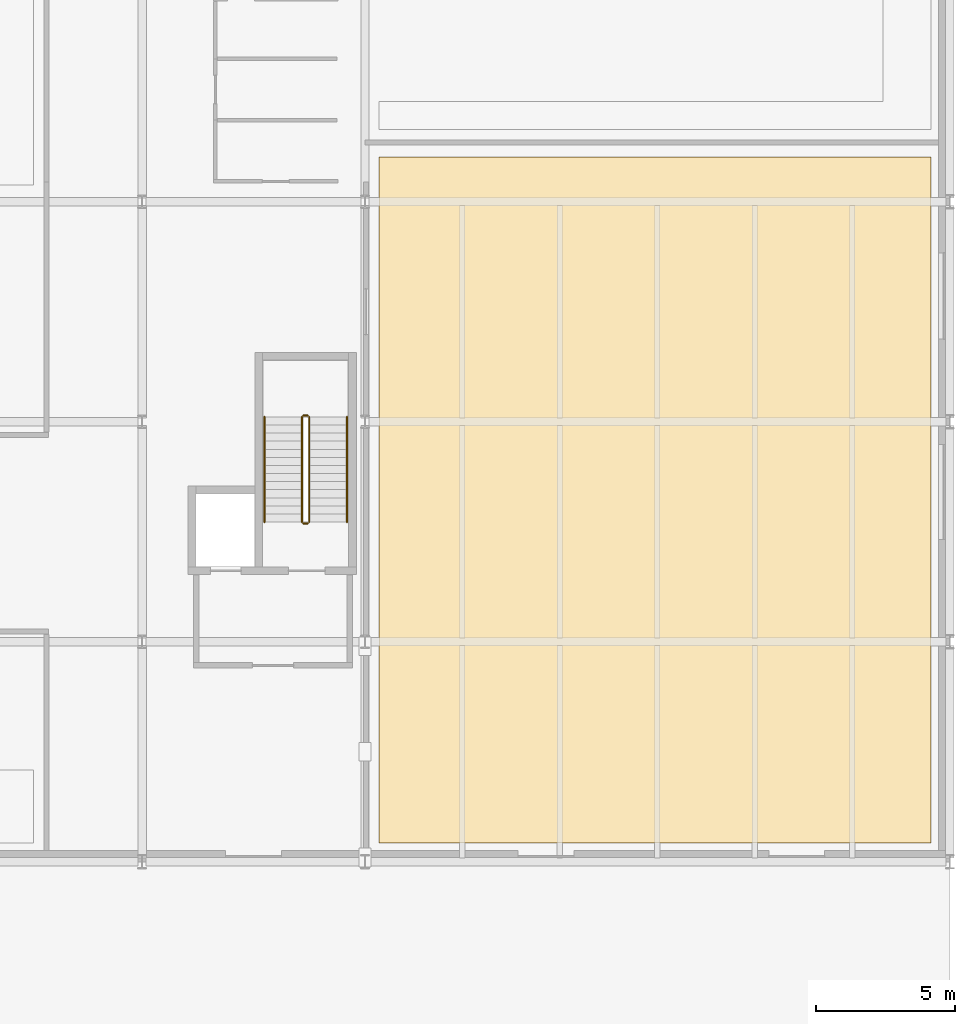
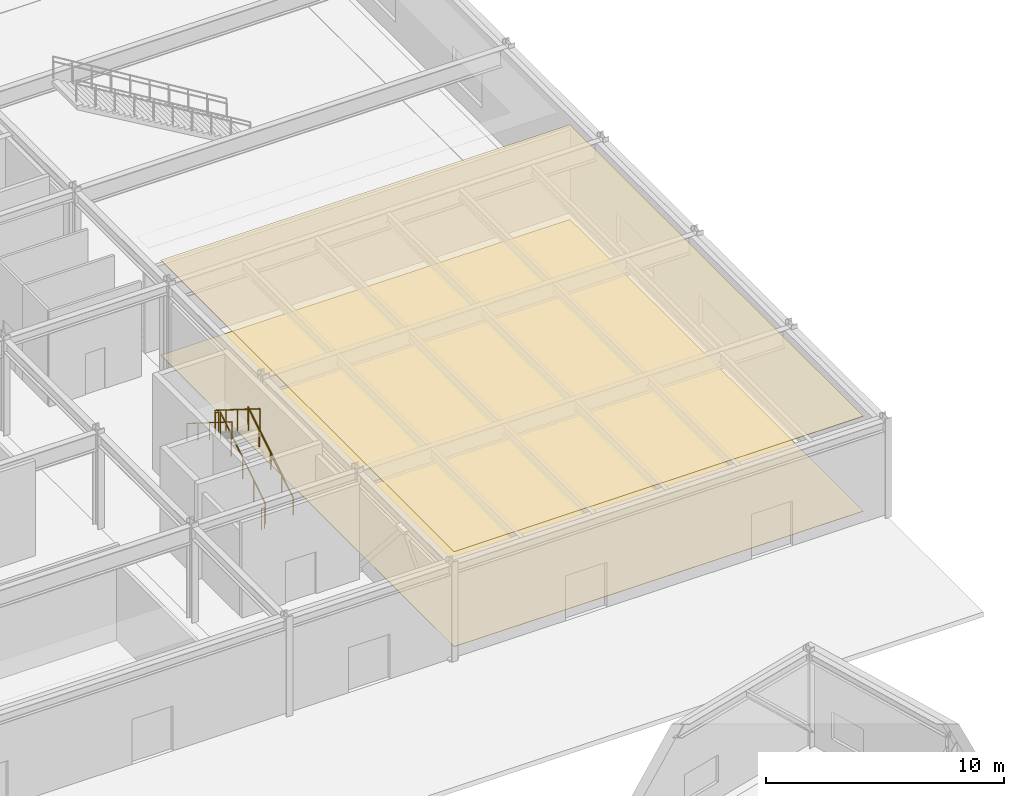
# One storey, part 95 of 97: 6 railings, 2 coverings.
"""IFC4 building model written with IfcOpenShell, lengths in metres."""

from ifc_helpers import new_model, si_unit, direction, frame, origin, origin_2d, place, context, subcontext, project, spatial, polyline, circle, outline, extrude, material, layer, layer_set, type_object, element, save


model = new_model("IFC4")

# Units and contexts
model_context = context("Model", 3, precision=1e-05, world=origin(), true_north=direction((0.0, 1.0)))
body_context = subcontext(model_context, "Body", "Model", "MODEL_VIEW")
ifc_project = project(units=[si_unit("LENGTHUNIT", "METRE"), si_unit("AREAUNIT", "SQUARE_METRE"), si_unit("VOLUMEUNIT", "CUBIC_METRE"), si_unit("PLANEANGLEUNIT", "RADIAN"), si_unit("MASSUNIT", "GRAM", prefix="KILO")], contexts=[model_context])

# Site, building, storey
site_placement = place(None, origin())
site = spatial("IfcSite", under=ifc_project, at=site_placement, CompositionType="ELEMENT")
building_placement = place(site_placement, origin())
building = spatial("IfcBuilding", under=site, at=building_placement, Name="Varnklinge Art Gallery", CompositionType="ELEMENT")
storey_placement = place(building_placement, origin())
storey = spatial("IfcBuildingStorey", under=building, at=storey_placement, Name="L00", CompositionType="ELEMENT", Elevation=0.0)

# Coverings
ifc_material_1 = material(Name="Acoustic Mineral Tile", Category="mineral")
ifc_layer_1 = layer(ifc_material_1, 0.02490234375)
ifc_layer_set_1 = layer_set([ifc_layer_1], Name="Acoustic Mineral Tile")
covering_type_1 = type_object("IfcCoveringType", Name="CLG-AC", PredefinedType="CEILING", material=ifc_layer_set_1)
covering_1_placement = place(storey_placement, frame((0.0, 0.0, 4.85498046875)))
element("IfcCovering", 1, at=covering_1_placement, inside=storey, type_object=covering_type_1, Name="L00 Acoustic Mineral Ceiling 003", PredefinedType="CEILING", context=body_context, shape_type="SweptSolid", body=[
    extrude(outline(polyline([(143.89990234375, 58.8798828125), (163.719970703125, 58.8798828125), (163.719970703125, 83.5), (143.89990234375, 83.5), (143.89990234375, 58.8798828125)])), origin(), (0.0, 0.0, 1.0), 0.02490234375),
])
ifc_material_2 = material(Name="Polished Terrazzo Flooring", Category="stone")
ifc_layer_2 = layer(ifc_material_2, 0.02001953125)
ifc_layer_set_2 = layer_set([ifc_layer_2], Name="Polished Terrazzo Flooring")
covering_type_2 = type_object("IfcCoveringType", Name="FLR-STN", PredefinedType="FLOORING", material=ifc_layer_set_2)
covering_2_placement = place(storey_placement, origin())
element("IfcCovering", 2, at=covering_2_placement, inside=storey, type_object=covering_type_2, Name="L00 Gallery Terrazzo Flooring 003", PredefinedType="FLOORING", context=body_context, shape_type="SweptSolid", body=[
    extrude(outline(polyline([(143.89990234375, 58.8798828125), (163.719970703125, 58.8798828125), (163.719970703125, 83.5), (143.89990234375, 83.5), (143.89990234375, 58.8798828125)])), origin(), (0.0, 0.0, 1.0), 0.02001953125),
])

# Railings
ifc_material_3 = material(Name="Steel S355", Category="steel")
railing_type_1 = type_object("IfcRailingType", Name="GR-INT", PredefinedType="GUARDRAIL", material=ifc_material_3)
railing_1_placement = place(storey_placement, frame((141.39990234375, 70.39990234375, 0.18212890625)))
element("IfcRailing", 3, at=railing_1_placement, inside=storey, type_object=railing_type_1, Name="L00 ST-03 stair guard 1", PredefinedType="GUARDRAIL", context=body_context, shape_type="SweptSolid", body=[
    extrude(circle(Radius=0.02392578125, at=origin_2d()), frame((0.0, 0.0, 1.076171875), z_axis=(0.0, 0.846819337722, 0.53188063441), x_axis=(-1.0, 0.0, 0.0)), (0.0, 0.0, 1.0), 4.451904296875),
    extrude(circle(Radius=0.02099609375, at=origin_2d()), origin(), (0.0, 0.0, 1.0), 1.052001953125),
    extrude(circle(Radius=0.02099609375, at=origin_2d()), frame((0.0, 0.9423828125, 0.592041015625)), (0.0, 0.0, 1.0), 1.052001953125),
    extrude(circle(Radius=0.02099609375, at=origin_2d()), frame((0.0, 1.885009765625, 1.18408203125)), (0.0, 0.0, 1.0), 1.052001953125),
    extrude(circle(Radius=0.02099609375, at=origin_2d()), frame((0.0, 2.82763671875, 1.77587890625)), (0.0, 0.0, 1.0), 1.052001953125),
    extrude(circle(Radius=0.02099609375, at=origin_2d()), frame((0.0, 3.77001953125, 2.367919921875)), (0.0, 0.0, 1.0), 1.052001953125),
])
railing_2_placement = place(storey_placement, frame((141.35009765625, 74.219970703125, 2.550048828125)))
element("IfcRailing", 4, at=railing_2_placement, inside=storey, type_object=railing_type_1, Name="L00 ST-03 stair guard 2", PredefinedType="GUARDRAIL", context=body_context, shape_type="SweptSolid", body=[
    extrude(circle(Radius=0.02392578125, at=origin_2d()), frame((0.0, 0.0, 1.076171875), z_axis=(-1.0, 0.0, 0.0), x_axis=(0.0, -1.0, 0.0)), (0.0, 0.0, 1.0), 0.16015625),
    extrude(circle(Radius=0.02099609375, at=origin_2d()), origin(), (0.0, 0.0, 1.0), 1.052001953125),
    extrude(circle(Radius=0.02099609375, at=origin_2d()), frame((-0.16015625, 0.0, 0.0)), (0.0, 0.0, 1.0), 1.052001953125),
])
railing_3_placement = place(storey_placement, frame((141.139892578125, 74.169921875, 2.732177734375)))
element("IfcRailing", 5, at=railing_3_placement, inside=storey, type_object=railing_type_1, Name="L00 ST-03 stair guard 3", PredefinedType="GUARDRAIL", context=body_context, shape_type="SweptSolid", body=[
    extrude(circle(Radius=0.02392578125, at=origin_2d()), frame((0.0, 0.0, 1.076171875), z_axis=(0.0, -0.846819337722, 0.53188063441), x_axis=(1.0, 0.0, 0.0)), (0.0, 0.0, 1.0), 4.451904296875),
    extrude(circle(Radius=0.02099609375, at=origin_2d()), origin(), (0.0, 0.0, 1.0), 1.052001953125),
    extrude(circle(Radius=0.02099609375, at=origin_2d()), frame((0.0, -0.9423828125, 0.592041015625)), (0.0, 0.0, 1.0), 1.052001953125),
    extrude(circle(Radius=0.02099609375, at=origin_2d()), frame((0.0, -1.885009765625, 1.18408203125)), (0.0, 0.0, 1.0), 1.052001953125),
    extrude(circle(Radius=0.02099609375, at=origin_2d()), frame((0.0, -2.82763671875, 1.77587890625)), (0.0, 0.0, 1.0), 1.052001953125),
    extrude(circle(Radius=0.02099609375, at=origin_2d()), frame((0.0, -3.77001953125, 2.367919921875)), (0.0, 0.0, 1.0), 1.052001953125),
])
railing_4_placement = place(storey_placement, frame((141.35009765625, 70.35009765625, 0.0)))
element("IfcRailing", 6, at=railing_4_placement, inside=storey, type_object=railing_type_1, Name="L00 ST-03 stair guard 4", PredefinedType="GUARDRAIL", context=body_context, shape_type="SweptSolid", body=[
    extrude(circle(Radius=0.02392578125, at=origin_2d()), frame((0.0, 0.0, 1.076171875), z_axis=(-1.0, 0.0, 0.0), x_axis=(0.0, -1.0, 0.0)), (0.0, 0.0, 1.0), 0.16015625),
    extrude(circle(Radius=0.02099609375, at=origin_2d()), origin(), (0.0, 0.0, 1.0), 1.052001953125),
    extrude(circle(Radius=0.02099609375, at=origin_2d()), frame((-0.16015625, 0.0, 0.0)), (0.0, 0.0, 1.0), 1.052001953125),
])
ifc_material_4 = material(Name="Steel S355", Category="steel")
railing_type_2 = type_object("IfcRailingType", Name="HR-01", PredefinedType="HANDRAIL", material=ifc_material_4)
railing_5_placement = place(storey_placement, frame((142.75, 70.39990234375, 0.18212890625)))
element("IfcRailing", 7, at=railing_5_placement, inside=storey, type_object=railing_type_2, Name="L00 ST-03 stair handrail 1", PredefinedType="HANDRAIL", context=body_context, shape_type="SweptSolid", body=[
    extrude(circle(Radius=0.02392578125, at=origin_2d()), frame((0.0, 0.0, 0.8759765625), z_axis=(0.0, 0.846819337722, 0.53188063441), x_axis=(-1.0, 0.0, 0.0)), (0.0, 0.0, 1.0), 4.451904296875),
    extrude(circle(Radius=0.02099609375, at=origin_2d()), origin(), (0.0, 0.0, 1.0), 0.851806640625),
    extrude(circle(Radius=0.02099609375, at=origin_2d()), frame((0.0, 0.9423828125, 0.592041015625)), (0.0, 0.0, 1.0), 0.851806640625),
    extrude(circle(Radius=0.02099609375, at=origin_2d()), frame((0.0, 1.885009765625, 1.18408203125)), (0.0, 0.0, 1.0), 0.851806640625),
    extrude(circle(Radius=0.02099609375, at=origin_2d()), frame((0.0, 2.82763671875, 1.77587890625)), (0.0, 0.0, 1.0), 0.851806640625),
    extrude(circle(Radius=0.02099609375, at=origin_2d()), frame((0.0, 3.77001953125, 2.367919921875)), (0.0, 0.0, 1.0), 0.851806640625),
])
railing_6_placement = place(storey_placement, frame((139.7900390625, 74.169921875, 2.732177734375)))
element("IfcRailing", 8, at=railing_6_placement, inside=storey, type_object=railing_type_2, Name="L00 ST-03 stair handrail 2", PredefinedType="HANDRAIL", context=body_context, shape_type="SweptSolid", body=[
    extrude(circle(Radius=0.02392578125, at=origin_2d()), frame((0.0, 0.0, 0.8759765625), z_axis=(0.0, -0.846819337722, 0.53188063441), x_axis=(1.0, 0.0, 0.0)), (0.0, 0.0, 1.0), 4.451904296875),
    extrude(circle(Radius=0.02099609375, at=origin_2d()), origin(), (0.0, 0.0, 1.0), 0.851806640625),
    extrude(circle(Radius=0.02099609375, at=origin_2d()), frame((0.0, -0.9423828125, 0.592041015625)), (0.0, 0.0, 1.0), 0.851806640625),
    extrude(circle(Radius=0.02099609375, at=origin_2d()), frame((0.0, -1.885009765625, 1.18408203125)), (0.0, 0.0, 1.0), 0.851806640625),
    extrude(circle(Radius=0.02099609375, at=origin_2d()), frame((0.0, -2.82763671875, 1.77587890625)), (0.0, 0.0, 1.0), 0.851806640625),
    extrude(circle(Radius=0.02099609375, at=origin_2d()), frame((0.0, -3.77001953125, 2.367919921875)), (0.0, 0.0, 1.0), 0.851806640625),
])

save(model, "model.ifc")
